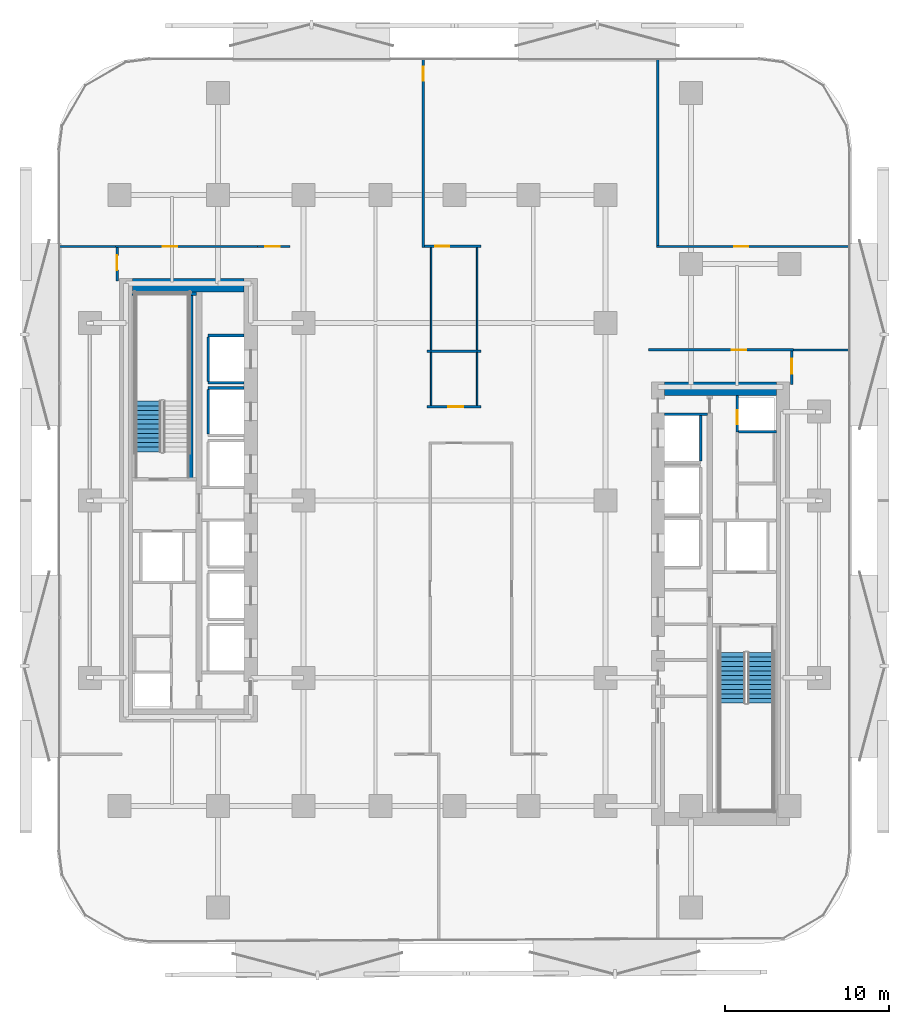
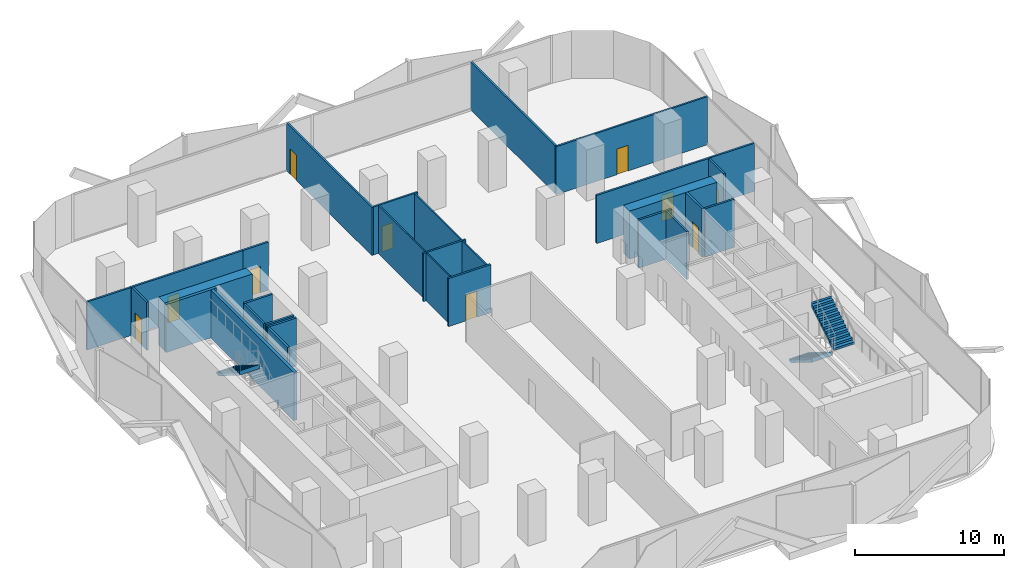
# One storey, part 5 of 15: 30 walls, 10 doors, 3 stair flights, 10 openings, 2 elements without a shape of their own.
"""IFC4 building model written with IfcOpenShell, lengths in metres."""

from ifc_helpers import new_model, si_unit, direction, frame, frame_2d, origin, place, context, subcontext, project, spatial, polyline, rectangle, outline, extrude, material, layer, layer_set, type_object, element, fill, aggregate, save


model = new_model("IFC4")

# Units and contexts
model_context = context("Model", 3, precision=1e-05, world=origin(), true_north=direction((0.0, 1.0)))
body_context = subcontext(model_context, "Body", "Model", "MODEL_VIEW")
ifc_project = project(units=[si_unit("LENGTHUNIT", "METRE"), si_unit("AREAUNIT", "SQUARE_METRE"), si_unit("VOLUMEUNIT", "CUBIC_METRE"), si_unit("PLANEANGLEUNIT", "RADIAN"), si_unit("MASSUNIT", "GRAM", prefix="KILO")], contexts=[model_context])

# Site, building, storey
site_placement = place(None, origin())
site = spatial("IfcSite", under=ifc_project, at=site_placement, CompositionType="ELEMENT")
building_placement = place(site_placement, origin())
building = spatial("IfcBuilding", under=site, at=building_placement, Name="Khairoan Windgate Tower", CompositionType="ELEMENT")
storey_placement = place(building_placement, frame((0.0, 0.0, 59.60009765625)))
storey = spatial("IfcBuildingStorey", under=building, at=storey_placement, Name="L14", CompositionType="ELEMENT", Elevation=59.60009765625)

# Walls
ifc_material_1 = material(Name="Moisture-Resistant Gypsum Partition", Category="gypsum")
ifc_layer_1 = layer(ifc_material_1, 0.10009765625, Name="Moisture-Resistant Gypsum Partition")
ifc_layer_set_1 = layer_set([ifc_layer_1], Name="Moisture-Resistant Gypsum Partition")
wall_type_1 = type_object("IfcWallType", Name="Bathroom Wet-Area Partition Wall", PredefinedType="PARTITIONING", material=ifc_layer_set_1)
for number, where, z_axis, x_axis, name in (
    (1, (1.3798828125, 9.010009765625, 0.0), (0.0, 0.0, 1.0), (0.0, -1.0, 0.0), "L14 Wet Room Side Wall 036"),
    (2, (-1.419921875, 5.780029296875, 0.0), (0.0, 0.0, 1.0), (0.0, 1.0, 0.0), "L14 Wet Room Side Wall 037"),
):
    element("IfcWall", number, at=place(storey_placement, frame(where, z_axis=z_axis, x_axis=x_axis)), inside=storey, type_object=wall_type_1, Name=name, PredefinedType="PARTITIONING", context=body_context, shape_type="SweptSolid", body=[
        extrude(rectangle(XDim=3.22998046875, YDim=0.10009765625, at=frame_2d((1.614990234375, 0.0))), origin(), (0.0, 0.0, 1.0), 3.93994140625),
    ])
for number, where, z_axis, x_axis, name in (
    (3, (1.3798828125, 15.409912109375, 0.0), (0.0, 0.0, 1.0), (0.0, -1.0, 0.0), "L14 Wet Room Side Wall 038"),
    (4, (-1.419921875, 9.14990234375, 0.0), (0.0, 0.0, 1.0), (0.0, 1.0, 0.0), "L14 Wet Room Side Wall 039"),
):
    element("IfcWall", number, at=place(storey_placement, frame(where, z_axis=z_axis, x_axis=x_axis)), inside=storey, type_object=wall_type_1, Name=name, PredefinedType="PARTITIONING", context=body_context, shape_type="SweptSolid", body=[
        extrude(rectangle(XDim=6.260009765625, YDim=0.10009765625, at=frame_2d((3.1298828125, 0.0))), origin(), (0.0, 0.0, 1.0), 3.93994140625),
    ])
ifc_material_2 = material(Name="Concrete C40/50", Category="concrete")
ifc_layer_2 = layer(ifc_material_2, 0.159912109375, Name="Concrete C40/50")
ifc_layer_set_2 = layer_set([ifc_layer_2], Name="Concrete C40/50")
wall_type_2 = type_object("IfcWallType", Name="Core and Hoistway Enclosure Wall", PredefinedType="STANDARD", material=ifc_layer_set_2)
for number, where, z_axis, x_axis, name in (
    (5, (-14.989990234375, 7.159912109375, 0.0), (0.0, 0.0, 1.0), (1.0, 0.0, 0.0), "L14 Lift PL1 Hoistway Divider S"),
    (6, (-14.989990234375, 10.0400390625, 0.0), (0.0, 0.0, 1.0), (1.0, 0.0, 0.0), "L14 Lift PL1 Hoistway Divider N"),
):
    element("IfcWall", number, at=place(storey_placement, frame(where, z_axis=z_axis, x_axis=x_axis)), inside=storey, type_object=wall_type_2, Name=name, PredefinedType="STANDARD", context=body_context, shape_type="SweptSolid", body=[
        extrude(rectangle(XDim=2.18994140625, YDim=0.159912109375, at=frame_2d((1.094970703125, 0.0))), origin(), (0.0, 0.0, 1.0), 3.93994140625),
    ])
wall_1_placement = place(storey_placement, frame((-14.989990234375, 7.25, 0.0), z_axis=(0.0, 0.0, 1.0), x_axis=(0.0, 1.0, 0.0)))
element("IfcWall", 7, at=wall_1_placement, inside=storey, type_object=wall_type_2, Name="L14 Lift PL1 Hoistway Back Wall", PredefinedType="STANDARD", context=body_context, shape_type="SweptSolid", body=[
    extrude(rectangle(XDim=2.699951171875, YDim=0.159912109375, at=frame_2d((1.35009765625, 0.0))), origin(), (0.0, 0.0, 1.0), 3.93994140625),
])
wall_2_placement = place(storey_placement, frame((-14.989990234375, 6.840087890625, 0.0), z_axis=(0.0, 0.0, 1.0), x_axis=(1.0, 0.0, 0.0)))
element("IfcWall", 8, at=wall_2_placement, inside=storey, type_object=wall_type_2, Name="L14 Lift PL2 Hoistway Divider N", PredefinedType="STANDARD", context=body_context, shape_type="SweptSolid", body=[
    extrude(rectangle(XDim=2.18994140625, YDim=0.159912109375, at=frame_2d((1.094970703125, 0.0))), origin(), (0.0, 0.0, 1.0), 3.93994140625),
])
wall_3_placement = place(storey_placement, frame((-14.989990234375, 4.050048828125, 0.0), z_axis=(0.0, 0.0, 1.0), x_axis=(0.0, 1.0, 0.0)))
element("IfcWall", 9, at=wall_3_placement, inside=storey, type_object=wall_type_2, Name="L14 Lift PL2 Hoistway Back Wall", PredefinedType="STANDARD", context=body_context, shape_type="SweptSolid", body=[
    extrude(rectangle(XDim=2.699951171875, YDim=0.159912109375, at=frame_2d((1.35009765625, 0.0))), origin(), (0.0, 0.0, 1.0), 3.93994140625),
])
wall_4_placement = place(storey_placement, frame((14.989990234375, 2.39990234375, 0.0), z_axis=(0.0, 0.0, 1.0), x_axis=(0.0, 1.0, 0.0)))
element("IfcWall", 10, at=wall_4_placement, inside=storey, type_object=wall_type_2, Name="L14 Lift PL7 Hoistway Back Wall", PredefinedType="STANDARD", context=body_context, shape_type="SweptSolid", body=[
    extrude(rectangle(XDim=2.800048828125, YDim=0.159912109375, at=frame_2d((1.39990234375, 0.0))), origin(), (0.0, 0.0, 1.0), 3.93994140625),
])
wall_5_placement = place(storey_placement, frame((12.800048828125, 5.25, 0.0), z_axis=(0.0, 0.0, 1.0), x_axis=(1.0, 0.0, 0.0)))
element("IfcWall", 11, at=wall_5_placement, inside=storey, type_object=wall_type_2, Name="L14 Core Shaft Wall SW-ESV-L14", PredefinedType="STANDARD", context=body_context, shape_type="SweptSolid", body=[
    extrude(rectangle(XDim=2.599853515625, YDim=0.159912109375, at=frame_2d((1.2998046875, 0.0))), origin(), (0.0, 0.0, 1.0), 3.93994140625),
])
ifc_material_3 = material(Name="Acoustic Fire-Rated Gypsum Partition", Category="gypsum")
ifc_layer_3 = layer(ifc_material_3, 0.139892578125, Name="Acoustic Fire-Rated Gypsum Partition")
ifc_layer_set_3 = layer_set([ifc_layer_3], Name="Acoustic Fire-Rated Gypsum Partition")
wall_type_3 = type_object("IfcWallType", Name="Inter-Tenancy Compartment Wall", PredefinedType="PARTITIONING", material=ifc_layer_set_3)
for number, where, z_axis, x_axis, name in (
    (12, (-24.054931640625, 15.4599609375, 0.0), (0.0, 0.0, 1.0), (1.0, 0.0, 0.0), "L14 Interior Partition 024"),
    (13, (20.639892578125, 9.159912109375, 0.0), (0.0, 0.0, 1.0), (1.0, 0.0, 0.0), "L14 Interior Partition 026"),
):
    element("IfcWall", number, at=place(storey_placement, frame(where, z_axis=z_axis, x_axis=x_axis)), inside=storey, type_object=wall_type_3, Name=name, PredefinedType="PARTITIONING", context=body_context, shape_type="SweptSolid", body=[
        extrude(rectangle(XDim=3.4150390625, YDim=0.139892578125, at=frame_2d((1.70751953125, 0.0))), origin(), (0.0, 0.0, 1.0), 3.93994140625),
    ])

# Wall, opening, door
wall_6_placement = place(storey_placement, frame((12.305908203125, 15.4599609375, 0.0), z_axis=(0.0, 0.0, 1.0), x_axis=(1.0, 0.0, 0.0)))
wall_6 = element("IfcWall", 14, at=wall_6_placement, inside=storey, type_object=wall_type_3, Name="L14 Interior Partition 027", PredefinedType="PARTITIONING", context=body_context, shape_type="SweptSolid", body=[
    extrude(rectangle(XDim=11.7490234375, YDim=0.139892578125, at=frame_2d((5.87451171875, 0.0))), origin(), (0.0, 0.0, 1.0), 3.93994140625),
])
opening_1_placement = place(wall_6_placement, frame((4.73681640625, 0.0, 0.0)))
opening_1 = element("IfcOpeningElement", 15, at=opening_1_placement, cuts=wall_6, Name="Opening FD-SRV", PredefinedType="OPENING", context=body_context, shape_type="SweptSolid", body=[
    extrude(rectangle(XDim=0.85009765625, YDim=2.10009765625, at=frame_2d((0.425048828125, 1.050048828125))), frame((0.0, 0.079833984375, 0.0), z_axis=(0.0, -1.0, 0.0), x_axis=(1.0, 0.0, 0.0)), (0.0, 0.0, 1.0), 0.159912109375),
])
ifc_material_4 = material(Name="Steel S355", Category="steel")
door_type_1 = type_object("IfcDoorType", Name="Core Service and Riser Fire Door FD-SRV 850x2100", OperationType="NOTDEFINED", PredefinedType="DOOR", material=ifc_material_4)
door_1_placement = place(opening_1_placement, origin())
door_1 = element("IfcDoor", 16, at=door_1_placement, inside=storey, type_object=door_type_1, Name="L14 L14-40-L14-43 Door", OperationType="SINGLE_SWING_RIGHT", OverallHeight=2.10009765625, OverallWidth=0.85009765625, PredefinedType="DOOR", context=body_context, shape_type="SweptSolid", body=[
    extrude(rectangle(XDim=0.85009765625, YDim=2.10009765625, at=frame_2d((0.425048828125, 1.050048828125))), frame((0.0, 0.02490234375, 0.0), z_axis=(0.0, -1.0, 0.0), x_axis=(1.0, 0.0, 0.0)), (0.0, 0.0, 1.0), 0.050048828125),
])
fill(opening_1, door_1)

wall_7_placement = place(storey_placement, frame((-1.904052734375, 15.409912109375, 0.0), z_axis=(0.0, 0.0, 1.0), x_axis=(0.0, 1.0, 0.0)))
wall_7 = element("IfcWall", 17, at=wall_7_placement, inside=storey, type_object=wall_type_3, Name="L14 Interior Partition 028", PredefinedType="PARTITIONING", context=body_context, shape_type="SweptSolid", body=[
    extrude(rectangle(XDim=11.445068359375, YDim=0.139892578125, at=frame_2d((5.72265625, 0.0))), origin(), (0.0, 0.0, 1.0), 3.93994140625),
])
opening_2_placement = place(wall_7_placement, frame((10.135009765625, 0.0, 0.0)))
opening_2 = element("IfcOpeningElement", 18, at=opening_2_placement, cuts=wall_7, Name="Opening FD-SRV", PredefinedType="OPENING", context=body_context, shape_type="SweptSolid", body=[
    extrude(rectangle(XDim=0.85009765625, YDim=2.10009765625, at=frame_2d((0.425048828125, 1.050048828125))), frame((0.0, 0.079833984375, 0.0), z_axis=(0.0, -1.0, 0.0), x_axis=(1.0, 0.0, 0.0)), (0.0, 0.0, 1.0), 0.159912109375),
])
door_2_placement = place(opening_2_placement, origin())
door_2 = element("IfcDoor", 19, at=door_2_placement, inside=storey, type_object=door_type_1, Name="L14 L14-41-L14-42 Door", OperationType="SINGLE_SWING_LEFT", OverallHeight=2.10009765625, OverallWidth=0.85009765625, PredefinedType="DOOR", context=body_context, shape_type="SweptSolid", body=[
    extrude(rectangle(XDim=0.85009765625, YDim=2.10009765625, at=frame_2d((0.425048828125, 1.050048828125))), frame((0.0, 0.02490234375, 0.0), z_axis=(0.0, -1.0, 0.0), x_axis=(1.0, 0.0, 0.0)), (0.0, 0.0, 1.0), 0.050048828125),
])
fill(opening_2, door_2)

# Wall
wall_8_placement = place(storey_placement, frame((12.3759765625, 15.530029296875, 0.0), z_axis=(0.0, 0.0, 1.0), x_axis=(0.0, 1.0, 0.0)))
element("IfcWall", 20, at=wall_8_placement, inside=storey, type_object=wall_type_3, Name="L14 Interior Partition 029", PredefinedType="PARTITIONING", context=body_context, shape_type="SweptSolid", body=[
    extrude(rectangle(XDim=11.324951171875, YDim=0.139892578125, at=frame_2d((5.66259765625, 0.0))), origin(), (0.0, 0.0, 1.0), 3.93994140625),
])

# Wall, opening, door
wall_9_placement = place(storey_placement, frame((-1.833984375, 15.47998046875, 0.0), z_axis=(0.0, 0.0, 1.0), x_axis=(1.0, 0.0, 0.0)))
wall_9 = element("IfcWall", 21, at=wall_9_placement, inside=storey, type_object=wall_type_3, Name="L14 Interior Partition 030", PredefinedType="PARTITIONING", context=body_context, shape_type="SweptSolid", body=[
    extrude(rectangle(XDim=3.4541015625, YDim=0.139892578125, at=frame_2d((1.72705078125, 0.0))), origin(), (0.0, 0.0, 1.0), 3.93994140625),
])
opening_3_placement = place(wall_9_placement, frame((0.67041015625, 0.0, 0.0)))
opening_3 = element("IfcOpeningElement", 22, at=opening_3_placement, cuts=wall_9, Name="Opening FD-SRV", PredefinedType="OPENING", context=body_context, shape_type="SweptSolid", body=[
    extrude(rectangle(XDim=0.85009765625, YDim=2.10009765625, at=frame_2d((0.425048828125, 1.050048828125))), frame((0.0, 0.079833984375, 0.0), z_axis=(0.0, -1.0, 0.0), x_axis=(1.0, 0.0, 0.0)), (0.0, 0.0, 1.0), 0.159912109375),
])
door_3_placement = place(opening_3_placement, origin())
door_3 = element("IfcDoor", 23, at=door_3_placement, inside=storey, type_object=door_type_1, Name="L14 L14-42-L14-48 Door", OperationType="SINGLE_SWING_LEFT", OverallHeight=2.10009765625, OverallWidth=0.85009765625, PredefinedType="DOOR", context=body_context, shape_type="SweptSolid", body=[
    extrude(rectangle(XDim=0.85009765625, YDim=2.10009765625, at=frame_2d((0.425048828125, 1.050048828125))), frame((0.0, 0.02490234375, 0.0), z_axis=(0.0, -1.0, 0.0), x_axis=(1.0, 0.0, 0.0)), (0.0, 0.0, 1.0), 0.050048828125),
])
fill(opening_3, door_3)

# Wall
wall_10_placement = place(storey_placement, frame((-1.659912109375, 9.080078125, 0.0), z_axis=(0.0, 0.0, 1.0), x_axis=(1.0, 0.0, 0.0)))
element("IfcWall", 24, at=wall_10_placement, inside=storey, type_object=wall_type_3, Name="L14 Interior Partition 033", PredefinedType="PARTITIONING", context=body_context, shape_type="SweptSolid", body=[
    extrude(rectangle(XDim=3.280029296875, YDim=0.139892578125, at=frame_2d((1.64013671875, 0.0))), origin(), (0.0, 0.0, 1.0), 3.93994140625),
])

# Wall, opening, door
ifc_material_5 = material(Name="Concrete C40/50", Category="concrete")
ifc_layer_4 = layer(ifc_material_5, 0.159912109375, Name="Concrete C40/50")
ifc_layer_set_4 = layer_set([ifc_layer_4], Name="Concrete C40/50")
wall_type_4 = type_object("IfcWallType", Name="Plant and Refuge Compartment Wall", PredefinedType="PARTITIONING", material=ifc_layer_set_4)
wall_11_placement = place(storey_placement, frame((17.22998046875, 4.169921875, 0.0), z_axis=(0.0, 0.0, 1.0), x_axis=(0.0, 1.0, 0.0)))
wall_11 = element("IfcWall", 25, at=wall_11_placement, inside=storey, type_object=wall_type_4, Name="L14 Interior Partition 006", PredefinedType="PARTITIONING", context=body_context, shape_type="SweptSolid", body=[
    extrude(rectangle(XDim=2.22998046875, YDim=0.159912109375, at=frame_2d((1.114990234375, 0.0))), origin(), (0.0, 0.0, 1.0), 3.93994140625),
])
opening_4_placement = place(wall_11_placement, frame((0.4599609375, 0.0, 0.0)))
opening_4 = element("IfcOpeningElement", 26, at=opening_4_placement, cuts=wall_11, Name="Opening FD-SRV", PredefinedType="OPENING", context=body_context, shape_type="SweptSolid", body=[
    extrude(rectangle(XDim=0.85009765625, YDim=2.10009765625, at=frame_2d((0.425048828125, 1.050048828125))), frame((0.0, 0.08984375, 0.0), z_axis=(0.0, -1.0, 0.0), x_axis=(1.0, 0.0, 0.0)), (0.0, 0.0, 1.0), 0.179931640625),
])
door_4_placement = place(opening_4_placement, origin())
door_4 = element("IfcDoor", 27, at=door_4_placement, inside=storey, type_object=door_type_1, Name="L14 L14-19-L14-20 Door", OperationType="SINGLE_SWING_RIGHT", OverallHeight=2.10009765625, OverallWidth=0.85009765625, PredefinedType="DOOR", context=body_context, shape_type="SweptSolid", body=[
    extrude(rectangle(XDim=0.85009765625, YDim=2.10009765625, at=frame_2d((0.425048828125, 1.050048828125))), frame((0.0, 0.02490234375, 0.0), z_axis=(0.0, -1.0, 0.0), x_axis=(1.0, 0.0, 0.0)), (0.0, 0.0, 1.0), 0.050048828125),
])
fill(opening_4, door_4)

# Wall
wall_12_placement = place(storey_placement, frame((17.31005859375, 4.169921875, 0.0), z_axis=(0.0, 0.0, 1.0), x_axis=(1.0, 0.0, 0.0)))
element("IfcWall", 28, at=wall_12_placement, inside=storey, type_object=wall_type_4, Name="L14 Interior Partition 009", PredefinedType="PARTITIONING", context=body_context, shape_type="SweptSolid", body=[
    extrude(rectangle(XDim=2.2900390625, YDim=0.159912109375, at=frame_2d((1.14501953125, 0.0))), origin(), (0.0, 0.0, 1.0), 3.93994140625),
])

# Wall, opening, door
ifc_material_6 = material(Name="Acoustic Fire-Rated Gypsum Partition", Category="gypsum")
ifc_layer_5 = layer(ifc_material_6, 0.14990234375, Name="Acoustic Fire-Rated Gypsum Partition")
ifc_layer_set_5 = layer_set([ifc_layer_5], Name="Acoustic Fire-Rated Gypsum Partition")
wall_type_5 = type_object("IfcWallType", Name="Rated Corridor Partition Wall", PredefinedType="PARTITIONING", material=ifc_layer_set_5)
wall_13_placement = place(storey_placement, frame((-11.989990234375, 15.4599609375, 0.0), z_axis=(0.0, 0.0, 1.0), x_axis=(1.0, 0.0, 0.0)))
wall_13 = element("IfcWall", 29, at=wall_13_placement, inside=storey, type_object=wall_type_5, Name="L14 Interior Partition 013", PredefinedType="PARTITIONING", context=body_context, shape_type="SweptSolid", body=[
    extrude(rectangle(XDim=1.97998046875, YDim=0.14990234375, at=frame_2d((0.989990234375, 0.0))), origin(), (0.0, 0.0, 1.0), 3.93994140625),
])
opening_5_placement = place(wall_13_placement, frame((0.4599609375, 0.0, 0.0)))
opening_5 = element("IfcOpeningElement", 30, at=opening_5_placement, cuts=wall_13, Name="Opening FD-ENT", PredefinedType="OPENING", context=body_context, shape_type="SweptSolid", body=[
    extrude(rectangle(XDim=0.89990234375, YDim=2.14990234375, at=frame_2d((0.449951171875, 1.074951171875))), frame((0.0, 0.0849609375, 0.0), z_axis=(0.0, -1.0, 0.0), x_axis=(1.0, 0.0, 0.0)), (0.0, 0.0, 1.0), 0.169921875),
])
ifc_material_7 = material(Name="Timber Fire-Rated Core", Category="wood")
door_type_2 = type_object("IfcDoorType", Name="Unit and Office Fire Entrance Door FD-ENT 900x2150", OperationType="NOTDEFINED", PredefinedType="DOOR", material=ifc_material_7)
door_5_placement = place(opening_5_placement, origin())
door_5 = element("IfcDoor", 31, at=door_5_placement, inside=storey, type_object=door_type_2, Name="L14 L14-31-L14-41 Door", OperationType="SINGLE_SWING_LEFT", OverallHeight=2.14990234375, OverallWidth=0.89990234375, PredefinedType="DOOR", context=body_context, shape_type="SweptSolid", body=[
    extrude(rectangle(XDim=0.89990234375, YDim=2.14990234375, at=frame_2d((0.449951171875, 1.074951171875))), frame((0.0, 0.02490234375, 0.0), z_axis=(0.0, -1.0, 0.0), x_axis=(1.0, 0.0, 0.0)), (0.0, 0.0, 1.0), 0.050048828125),
])
fill(opening_5, door_5)

wall_14_placement = place(storey_placement, frame((-1.659912109375, 5.705078125, 0.0), z_axis=(0.0, 0.0, 1.0), x_axis=(1.0, 0.0, 0.0)))
wall_14 = element("IfcWall", 32, at=wall_14_placement, inside=storey, type_object=wall_type_5, Name="L14 Interior Partition 014", PredefinedType="PARTITIONING", context=body_context, shape_type="SweptSolid", body=[
    extrude(rectangle(XDim=3.280029296875, YDim=0.14990234375, at=frame_2d((1.64013671875, 0.0))), origin(), (0.0, 0.0, 1.0), 3.93994140625),
])
opening_6_placement = place(wall_14_placement, frame((1.294189453125, 0.0, 0.0)))
opening_6 = element("IfcOpeningElement", 33, at=opening_6_placement, cuts=wall_14, Name="Opening FD-ENT", PredefinedType="OPENING", context=body_context, shape_type="SweptSolid", body=[
    extrude(rectangle(XDim=0.89990234375, YDim=2.14990234375, at=frame_2d((0.449951171875, 1.074951171875))), frame((0.0, 0.0849609375, 0.0), z_axis=(0.0, -1.0, 0.0), x_axis=(1.0, 0.0, 0.0)), (0.0, 0.0, 1.0), 0.169921875),
])
door_6_placement = place(opening_6_placement, origin())
door_6 = element("IfcDoor", 34, at=door_6_placement, inside=storey, type_object=door_type_2, Name="L14 L14-33-L14-47 Door", OperationType="SINGLE_SWING_RIGHT", OverallHeight=2.14990234375, OverallWidth=0.89990234375, PredefinedType="DOOR", context=body_context, shape_type="SweptSolid", body=[
    extrude(rectangle(XDim=0.89990234375, YDim=2.14990234375, at=frame_2d((0.449951171875, 1.074951171875))), frame((0.0, 0.02490234375, 0.0), z_axis=(0.0, -1.0, 0.0), x_axis=(1.0, 0.0, 0.0)), (0.0, 0.0, 1.0), 0.050048828125),
])
fill(opening_6, door_6)

wall_15_placement = place(storey_placement, frame((-20.5400390625, 13.360107421875, 0.0), z_axis=(0.0, 0.0, 1.0), x_axis=(0.0, 1.0, 0.0)))
wall_15 = element("IfcWall", 35, at=wall_15_placement, inside=storey, type_object=wall_type_5, Name="L14 Interior Partition 020", PredefinedType="PARTITIONING", context=body_context, shape_type="SweptSolid", body=[
    extrude(rectangle(XDim=2.02490234375, YDim=0.14990234375, at=frame_2d((1.012451171875, 0.0))), origin(), (0.0, 0.0, 1.0), 3.93994140625),
])
opening_7_placement = place(wall_15_placement, frame((0.6650390625, 0.0, 0.0)))
opening_7 = element("IfcOpeningElement", 36, at=opening_7_placement, cuts=wall_15, Name="Opening FD-ENT", PredefinedType="OPENING", context=body_context, shape_type="SweptSolid", body=[
    extrude(rectangle(XDim=0.89990234375, YDim=2.14990234375, at=frame_2d((0.449951171875, 1.074951171875))), frame((0.0, 0.0849609375, 0.0), z_axis=(0.0, -1.0, 0.0), x_axis=(1.0, 0.0, 0.0)), (0.0, 0.0, 1.0), 0.169921875),
])
door_7_placement = place(opening_7_placement, origin())
door_7 = element("IfcDoor", 37, at=door_7_placement, inside=storey, type_object=door_type_2, Name="L14 L14-36-L14-38 Door", OperationType="SINGLE_SWING_RIGHT", OverallHeight=2.14990234375, OverallWidth=0.89990234375, PredefinedType="DOOR", context=body_context, shape_type="SweptSolid", body=[
    extrude(rectangle(XDim=0.89990234375, YDim=2.14990234375, at=frame_2d((0.449951171875, 1.074951171875))), frame((0.0, 0.02490234375, 0.0), z_axis=(0.0, -1.0, 0.0), x_axis=(1.0, 0.0, 0.0)), (0.0, 0.0, 1.0), 0.050048828125),
])
fill(opening_7, door_7)

wall_16_placement = place(storey_placement, frame((-20.639892578125, 15.4599609375, 0.0), z_axis=(0.0, 0.0, 1.0), x_axis=(1.0, 0.0, 0.0)))
wall_16 = element("IfcWall", 38, at=wall_16_placement, inside=storey, type_object=wall_type_5, Name="L14 Interior Partition 021", PredefinedType="PARTITIONING", context=body_context, shape_type="SweptSolid", body=[
    extrude(rectangle(XDim=8.64990234375, YDim=0.14990234375, at=frame_2d((4.324951171875, 0.0))), origin(), (0.0, 0.0, 1.0), 3.93994140625),
])
opening_8_placement = place(wall_16_placement, frame((2.87060546875, 0.0, 0.0)))
opening_8 = element("IfcOpeningElement", 39, at=opening_8_placement, cuts=wall_16, Name="Opening FD-ENT", PredefinedType="OPENING", context=body_context, shape_type="SweptSolid", body=[
    extrude(rectangle(XDim=0.89990234375, YDim=2.14990234375, at=frame_2d((0.449951171875, 1.074951171875))), frame((0.0, 0.0849609375, 0.0), z_axis=(0.0, -1.0, 0.0), x_axis=(1.0, 0.0, 0.0)), (0.0, 0.0, 1.0), 0.169921875),
])
door_8_placement = place(opening_8_placement, origin())
door_8 = element("IfcDoor", 40, at=door_8_placement, inside=storey, type_object=door_type_2, Name="L14 L14-36-L14-41 Door", OperationType="SINGLE_SWING_LEFT", OverallHeight=2.14990234375, OverallWidth=0.89990234375, PredefinedType="DOOR", context=body_context, shape_type="SweptSolid", body=[
    extrude(rectangle(XDim=0.89990234375, YDim=2.14990234375, at=frame_2d((0.449951171875, 1.074951171875))), frame((0.0, 0.02490234375, 0.0), z_axis=(0.0, -1.0, 0.0), x_axis=(1.0, 0.0, 0.0)), (0.0, 0.0, 1.0), 0.050048828125),
])
fill(opening_8, door_8)

wall_17_placement = place(storey_placement, frame((20.5400390625, 7.06005859375, 0.0), z_axis=(0.0, 0.0, 1.0), x_axis=(0.0, 1.0, 0.0)))
wall_17 = element("IfcWall", 41, at=wall_17_placement, inside=storey, type_object=wall_type_5, Name="L14 Interior Partition 022", PredefinedType="PARTITIONING", context=body_context, shape_type="SweptSolid", body=[
    extrude(rectangle(XDim=2.02490234375, YDim=0.14990234375, at=frame_2d((1.012451171875, 0.0))), origin(), (0.0, 0.0, 1.0), 3.93994140625),
])
opening_9_placement = place(wall_17_placement, frame((0.6650390625, 0.0, 0.0)))
opening_9 = element("IfcOpeningElement", 42, at=opening_9_placement, cuts=wall_17, Name="Opening FD-ENT", PredefinedType="OPENING", context=body_context, shape_type="SweptSolid", body=[
    extrude(rectangle(XDim=0.89990234375, YDim=2.14990234375, at=frame_2d((0.449951171875, 1.074951171875))), frame((0.0, 0.0849609375, 0.0), z_axis=(0.0, -1.0, 0.0), x_axis=(1.0, 0.0, 0.0)), (0.0, 0.0, 1.0), 0.169921875),
])
door_9_placement = place(opening_9_placement, origin())
door_9 = element("IfcDoor", 43, at=door_9_placement, inside=storey, type_object=door_type_2, Name="L14 L14-37-L14-39 Door", OperationType="SINGLE_SWING_RIGHT", OverallHeight=2.14990234375, OverallWidth=0.89990234375, PredefinedType="DOOR", context=body_context, shape_type="SweptSolid", body=[
    extrude(rectangle(XDim=0.89990234375, YDim=2.14990234375, at=frame_2d((0.449951171875, 1.074951171875))), frame((0.0, 0.02490234375, 0.0), z_axis=(0.0, -1.0, 0.0), x_axis=(1.0, 0.0, 0.0)), (0.0, 0.0, 1.0), 0.050048828125),
])
fill(opening_9, door_9)

wall_18_placement = place(storey_placement, frame((11.81005859375, 9.159912109375, 0.0), z_axis=(0.0, 0.0, 1.0), x_axis=(1.0, 0.0, 0.0)))
wall_18 = element("IfcWall", 44, at=wall_18_placement, inside=storey, type_object=wall_type_5, Name="L14 Interior Partition 023", PredefinedType="PARTITIONING", context=body_context, shape_type="SweptSolid", body=[
    extrude(rectangle(XDim=8.829833984375, YDim=0.14990234375, at=frame_2d((4.4150390625, 0.0))), origin(), (0.0, 0.0, 1.0), 3.93994140625),
])
opening_10_placement = place(wall_18_placement, frame((5.066650390625, 0.0, 0.0)))
opening_10 = element("IfcOpeningElement", 45, at=opening_10_placement, cuts=wall_18, Name="Opening FD-ENT", PredefinedType="OPENING", context=body_context, shape_type="SweptSolid", body=[
    extrude(rectangle(XDim=0.89990234375, YDim=2.14990234375, at=frame_2d((0.449951171875, 1.074951171875))), frame((0.0, 0.0849609375, 0.0), z_axis=(0.0, -1.0, 0.0), x_axis=(1.0, 0.0, 0.0)), (0.0, 0.0, 1.0), 0.169921875),
])
door_10_placement = place(opening_10_placement, origin())
door_10 = element("IfcDoor", 46, at=door_10_placement, inside=storey, type_object=door_type_2, Name="L14 L14-37-L14-40 Door", OperationType="SINGLE_SWING_LEFT", OverallHeight=2.14990234375, OverallWidth=0.89990234375, PredefinedType="DOOR", context=body_context, shape_type="SweptSolid", body=[
    extrude(rectangle(XDim=0.89990234375, YDim=2.14990234375, at=frame_2d((0.449951171875, 1.074951171875))), frame((0.0, 0.02490234375, 0.0), z_axis=(0.0, -1.0, 0.0), x_axis=(1.0, 0.0, 0.0)), (0.0, 0.0, 1.0), 0.050048828125),
])
fill(opening_10, door_10)

# Walls
ifc_material_8 = material(Name="Concrete C70/85", Category="concrete")
ifc_layer_6 = layer(ifc_material_8, 0.800048828125, Name="Concrete C70/85")
ifc_layer_set_6 = layer_set([ifc_layer_6], Name="Concrete C70/85")
wall_type_6 = type_object("IfcWallType", Name="Shear Wall CW-E1 800mm", PredefinedType="SHEAR", material=ifc_layer_set_6)
wall_19_placement = place(storey_placement, frame((12.800048828125, 6.800048828125, 0.0), z_axis=(0.0, 0.0, 1.0), x_axis=(1.0, 0.0, 0.0)))
element("IfcWall", 47, at=wall_19_placement, inside=storey, type_object=wall_type_6, Name="E Core North Shear Wall L14", PredefinedType="SHEAR", context=body_context, shape_type="SweptSolid", body=[
    extrude(rectangle(XDim=6.800048828125, YDim=0.800048828125, at=frame_2d((3.39990234375, 0.0))), origin(), (0.0, 0.0, 1.0), 3.93994140625),
])
ifc_material_9 = material(Name="Concrete C70/85", Category="concrete")
ifc_layer_7 = layer(ifc_material_9, 0.800048828125, Name="Concrete C70/85")
ifc_layer_set_7 = layer_set([ifc_layer_7], Name="Concrete C70/85")
wall_type_7 = type_object("IfcWallType", Name="Shear Wall CW-W1 800mm", PredefinedType="SHEAR", material=ifc_layer_set_7)
wall_20_placement = place(storey_placement, frame((-19.60009765625, 13.10009765625, 0.0), z_axis=(0.0, 0.0, 1.0), x_axis=(1.0, 0.0, 0.0)))
element("IfcWall", 48, at=wall_20_placement, inside=storey, type_object=wall_type_7, Name="W Core North Shear Wall L14", PredefinedType="SHEAR", context=body_context, shape_type="SweptSolid", body=[
    extrude(rectangle(XDim=6.800048828125, YDim=0.800048828125, at=frame_2d((3.39990234375, 0.0))), origin(), (0.0, 0.0, 1.0), 3.93994140625),
])
ifc_material_10 = material(Name="Concrete C50/60", Category="concrete")
ifc_layer_8 = layer(ifc_material_10, 0.219970703125, Name="Concrete C50/60")
ifc_layer_set_8 = layer_set([ifc_layer_8], Name="Concrete C50/60")
wall_type_8 = type_object("IfcWallType", Name="Shear Wall SW-ST 220mm", PredefinedType="SHEAR", material=ifc_layer_set_8)
wall_21_placement = place(storey_placement, frame((-16.0400390625, 1.2900390625, 0.0), z_axis=(0.0, 0.0, 1.0), x_axis=(0.0, 1.0, 0.0)))
element("IfcWall", 49, at=wall_21_placement, inside=storey, type_object=wall_type_8, Name="L14 Stair ST2 East Bearing Wall", PredefinedType="SHEAR", context=body_context, shape_type="SweptSolid", body=[
    extrude(rectangle(XDim=11.300048828125, YDim=0.219970703125, at=frame_2d((5.64990234375, 0.0))), origin(), (0.0, 0.0, 1.0), 3.93994140625),
])
wall_22_placement = place(storey_placement, frame((-19.6201171875, 12.590087890625, 0.0), z_axis=(0.0, 0.0, 1.0), x_axis=(1.0, 0.0, 0.0)))
element("IfcWall", 50, at=wall_22_placement, inside=storey, type_object=wall_type_8, Name="L14 Stair ST2 North Bearing Wall", PredefinedType="SHEAR", context=body_context, shape_type="SweptSolid", body=[
    extrude(rectangle(XDim=3.9150390625, YDim=0.219970703125, at=frame_2d((1.95751953125, 0.0))), origin(), (0.0, 0.0, 1.0), 3.93994140625),
])

# Stair, stair flights
ifc_material_11 = material(Name="Concrete C40/50", Category="concrete")
stair_type = type_object("IfcStairType", Name="Tower Core Dog-Leg Stair ST-T1 1560mm", PredefinedType="HALF_TURN_STAIR", material=ifc_material_11)
stair_1_placement = place(storey_placement, origin())
stair_1 = element("IfcStair", 51, at=stair_1_placement, inside=storey, type_object=stair_type, Name="L14 Stair ST1", PredefinedType="HALF_TURN_STAIR")
ifc_material_12 = material(Name="Concrete C40/50", Category="concrete")
ifc_layer_9 = layer(ifc_material_12, 0.14990234375, Name="Concrete C40/50")
ifc_layer_set_9 = layer_set([ifc_layer_9], Name="Concrete C40/50")
stair_flight_type = type_object("IfcStairFlightType", Name="Tower Core Stair Flight STF-1560", PredefinedType="STRAIGHT", material=ifc_layer_set_9)
stair_flight_1_placement = place(storey_placement, frame((16.929931640625, -9.260009765625, 0.0), z_axis=(0.0, 0.0, 1.0), x_axis=(0.0, -1.0, 0.0)))
stair_flight_1 = element("IfcStairFlight", 52, at=stair_flight_1_placement, type_object=stair_flight_type, Name="ST1 flight 1", NumberOfRisers=12, NumberOfTreads=11, PredefinedType="STRAIGHT", RiserHeight=0.175, TreadLength=0.28, context=body_context, shape_type="SweptSolid", body=[
    extrude(outline(polyline([(-0.00390625, 0.0), (-0.00390625, 0.175048828125), (0.0, 0.175048828125), (0.280029296875, 0.175048828125), (0.280029296875, 0.35009765625), (0.56005859375, 0.35009765625), (0.56005859375, 0.52490234375), (0.840087890625, 0.52490234375), (0.840087890625, 0.699951171875), (1.1201171875, 0.699951171875), (1.1201171875, 0.875), (1.39990234375, 0.875), (1.39990234375, 1.050048828125), (1.679931640625, 1.050048828125), (1.679931640625, 1.22509765625), (1.9599609375, 1.22509765625), (1.9599609375, 1.39990234375), (2.239990234375, 1.39990234375), (2.239990234375, 1.574951171875), (2.52001953125, 1.574951171875), (2.52001953125, 1.75), (2.800048828125, 1.75), (2.800048828125, 1.925048828125), (3.080078125, 1.925048828125), (3.080078125, 2.10009765625), (3.083984375, 2.10009765625), (3.083984375, 1.748291015625), (0.28271484375, 0.0), (-0.00390625, 0.0)])), frame((0.0, 0.780029296875, 0.0), z_axis=(0.0, -1.0, 0.0), x_axis=(1.0, 0.0, 0.0)), (0.0, 0.0, 1.0), 1.56005859375),
])
stair_flight_2_placement = place(storey_placement, frame((18.639892578125, -12.340087890625, 2.099853515625), z_axis=(0.0, 0.0, 1.0), x_axis=(0.0, 1.0, 0.0)))
stair_flight_2 = element("IfcStairFlight", 53, at=stair_flight_2_placement, type_object=stair_flight_type, Name="ST1 flight 2", NumberOfRisers=12, NumberOfTreads=11, PredefinedType="STRAIGHT", RiserHeight=0.175, TreadLength=0.28, context=body_context, shape_type="SweptSolid", body=[
    extrude(outline(polyline([(-0.00390625, 0.0), (-0.00390625, 0.175048828125), (0.0, 0.175048828125), (0.280029296875, 0.175048828125), (0.280029296875, 0.35009765625), (0.56005859375, 0.35009765625), (0.56005859375, 0.52490234375), (0.840087890625, 0.52490234375), (0.840087890625, 0.699951171875), (1.1201171875, 0.699951171875), (1.1201171875, 0.875), (1.39990234375, 0.875), (1.39990234375, 1.050048828125), (1.679931640625, 1.050048828125), (1.679931640625, 1.22509765625), (1.9599609375, 1.22509765625), (1.9599609375, 1.39990234375), (2.239990234375, 1.39990234375), (2.239990234375, 1.574951171875), (2.52001953125, 1.574951171875), (2.52001953125, 1.75), (2.800048828125, 1.75), (2.800048828125, 1.925048828125), (3.080078125, 1.925048828125), (3.080078125, 2.10009765625), (3.083984375, 2.10009765625), (3.083984375, 1.748291015625), (0.28271484375, 0.0), (-0.00390625, 0.0)])), frame((0.0, 0.780029296875, 0.0), z_axis=(0.0, -1.0, 0.0), x_axis=(1.0, 0.0, 0.0)), (0.0, 0.0, 1.0), 1.56005859375),
])
aggregate(stair_1, [stair_flight_1, stair_flight_2])

# Stair, stair flight
stair_2_placement = place(storey_placement, origin())
stair_2 = element("IfcStair", 54, at=stair_2_placement, inside=storey, type_object=stair_type, Name="L14 Stair ST2", PredefinedType="HALF_TURN_STAIR")
stair_flight_3_placement = place(storey_placement, frame((-18.639892578125, 6.0400390625, 2.099853515625), z_axis=(0.0, 0.0, 1.0), x_axis=(0.0, -1.0, 0.0)))
stair_flight_3 = element("IfcStairFlight", 55, at=stair_flight_3_placement, type_object=stair_flight_type, Name="ST2 flight 2", NumberOfRisers=12, NumberOfTreads=11, PredefinedType="STRAIGHT", RiserHeight=0.175, TreadLength=0.28, context=body_context, shape_type="SweptSolid", body=[
    extrude(outline(polyline([(-0.00390625, 0.0), (-0.00390625, 0.175048828125), (0.0, 0.175048828125), (0.280029296875, 0.175048828125), (0.280029296875, 0.35009765625), (0.56005859375, 0.35009765625), (0.56005859375, 0.52490234375), (0.840087890625, 0.52490234375), (0.840087890625, 0.699951171875), (1.1201171875, 0.699951171875), (1.1201171875, 0.875), (1.39990234375, 0.875), (1.39990234375, 1.050048828125), (1.679931640625, 1.050048828125), (1.679931640625, 1.22509765625), (1.9599609375, 1.22509765625), (1.9599609375, 1.39990234375), (2.239990234375, 1.39990234375), (2.239990234375, 1.574951171875), (2.52001953125, 1.574951171875), (2.52001953125, 1.75), (2.800048828125, 1.75), (2.800048828125, 1.925048828125), (3.080078125, 1.925048828125), (3.080078125, 2.10009765625), (3.083984375, 2.10009765625), (3.083984375, 1.748291015625), (0.28271484375, 0.0), (-0.00390625, 0.0)])), frame((0.0, 0.780029296875, 0.0), z_axis=(0.0, -1.0, 0.0), x_axis=(1.0, 0.0, 0.0)), (0.0, 0.0, 1.0), 1.56005859375),
])
aggregate(stair_2, [stair_flight_3])

save(model, "model.ifc")
